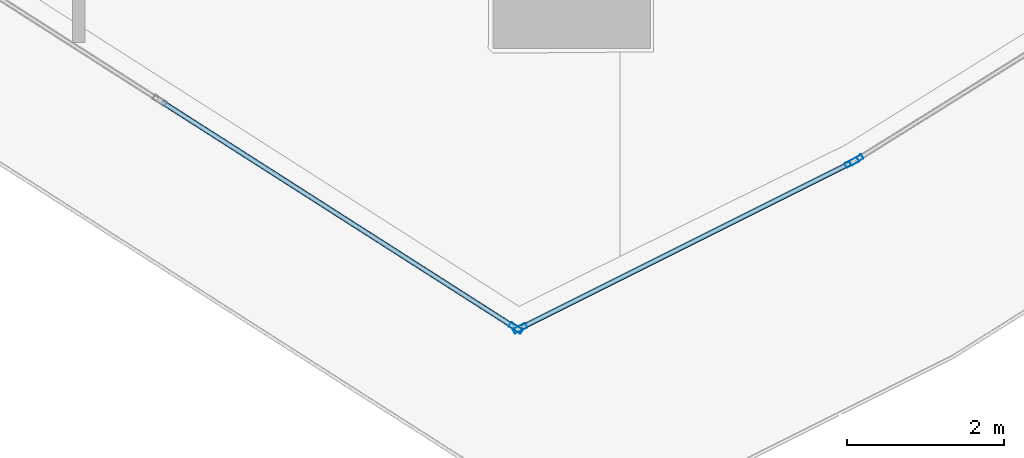
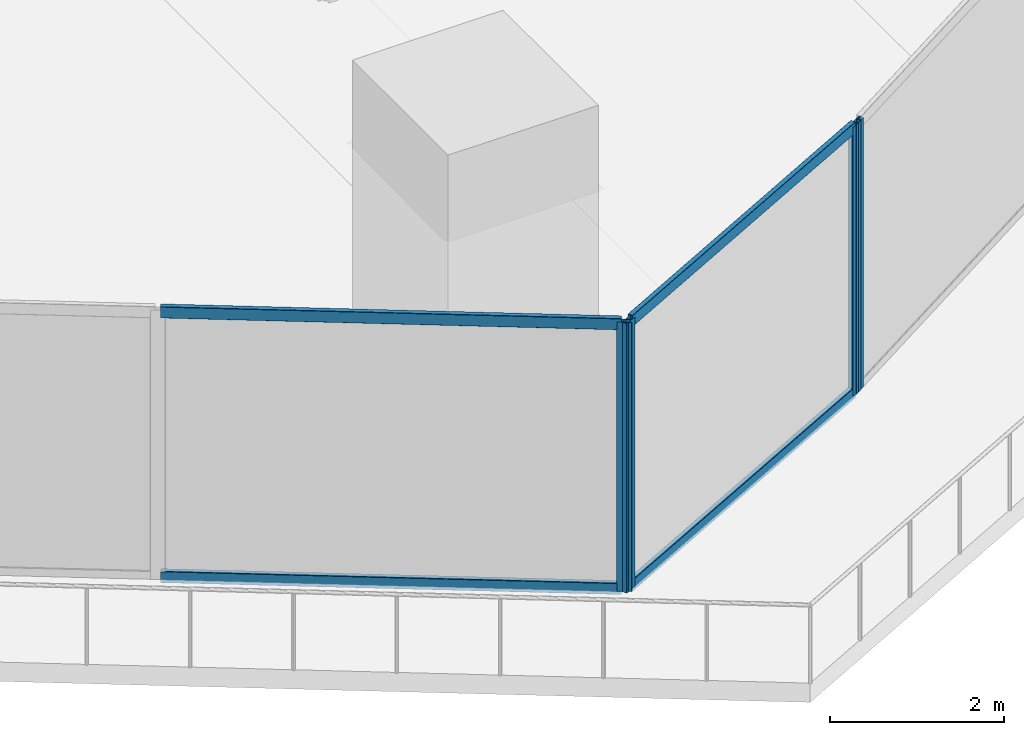
# One storey, part 9 of 39: 8 members, 3 elements without a shape of their own.
"""IFC4 building model written with IfcOpenShell, lengths in metres."""

from ifc_helpers import new_model, si_unit, direction, frame, origin, origin_2d, place, context, subcontext, project, spatial, hollow_rectangle, extrude, material, layer, layer_set, material_profile, profile_set, type_object, element, aggregate, save


model = new_model("IFC4")

# Units and contexts
model_context = context("Model", 3, precision=1e-05, world=origin(), true_north=direction((0.0, 1.0)))
body_context = subcontext(model_context, "Body", "Model", "MODEL_VIEW")
ifc_project = project(units=[si_unit("LENGTHUNIT", "METRE"), si_unit("AREAUNIT", "SQUARE_METRE"), si_unit("VOLUMEUNIT", "CUBIC_METRE"), si_unit("PLANEANGLEUNIT", "RADIAN"), si_unit("MASSUNIT", "GRAM", prefix="KILO")], contexts=[model_context])

# Site, building, storey
site_placement = place(None, origin())
site = spatial("IfcSite", under=ifc_project, at=site_placement, CompositionType="ELEMENT")
building_placement = place(site_placement, origin())
building = spatial("IfcBuilding", under=site, at=building_placement, Name="Qorvath Tower", CompositionType="ELEMENT")
storey_placement = place(building_placement, frame((0.0, 0.0, 142.199951171875)))
storey = spatial("IfcBuildingStorey", under=building, at=storey_placement, Name="L32", CompositionType="ELEMENT", Elevation=142.199951171875)

# Curtain wall, member
ifc_material_1 = material(Name="Anodised aluminium and triple low-E glass", Category="aluminium")
ifc_layer = layer(ifc_material_1, 0.179931640625)
ifc_layer_set = layer_set([ifc_layer], Name="CW-SYS-3")
curtain_wall_type = type_object("IfcCurtainWallType", Name="CW-SYS-3", PredefinedType="NOTDEFINED", material=ifc_layer_set)
curtain_wall_1_placement = place(storey_placement, origin())
curtain_wall_1 = element("IfcCurtainWall", 1, at=curtain_wall_1_placement, inside=storey, type_object=curtain_wall_type, Name="Curtain Wall CW-3 CW-T-L32-2.1", PredefinedType="NOTDEFINED")
ifc_material_2 = material(Name="Anodised aluminium 6063-T6", Category="aluminium")
ifc_material_profile_1 = material_profile(ifc_material_2, hollow_rectangle(XDim=0.06494140625, YDim=0.179931640625, WallThickness=0.00341796875, InnerFilletRadius=0.00341796875, OuterFilletRadius=0.007080078125, at=origin_2d()), Name="CWM 180x65")
ifc_profile_set_1 = profile_set([ifc_material_profile_1], Name="Anodised aluminium 6063-T6")
member_type_1 = type_object("IfcMemberType", Name="CWM-180", PredefinedType="MULLION", material=ifc_profile_set_1)
member_1_placement = place(storey_placement, frame((-16.05517578125, -29.89892578125, 0.0), z_axis=(0.0, 0.0, 1.0), x_axis=(0.53853296968, 0.842604438967, 0.0)))
member_1 = element("IfcMember", 2, at=member_1_placement, type_object=member_type_1, Name="CW-3 mullion 10", PredefinedType="MULLION", context=body_context, shape_type="SweptSolid", body=[
    extrude(hollow_rectangle(XDim=0.06494140625, YDim=0.179931640625, WallThickness=0.00341796875, InnerFilletRadius=0.00341796875, OuterFilletRadius=0.007080078125, at=origin_2d()), origin(), (0.0, 0.0, 1.0), 3.780029296875),
])

# Curtain wall, members
curtain_wall_2_placement = place(storey_placement, origin())
curtain_wall_2 = element("IfcCurtainWall", 3, at=curtain_wall_2_placement, inside=storey, type_object=curtain_wall_type, Name="Curtain Wall CW-3 CW-T-L32-3.1", PredefinedType="NOTDEFINED")
member_2_placement = place(storey_placement, frame((-15.998779296875, -29.90185546875, 0.0), z_axis=(0.0, 0.0, 1.0), x_axis=(-0.447171738712, 0.89444811817, 0.0)))
member_2 = element("IfcMember", 4, at=member_2_placement, type_object=member_type_1, Name="CW-3 mullion 1", PredefinedType="MULLION", context=body_context, shape_type="SweptSolid", body=[
    extrude(hollow_rectangle(XDim=0.06494140625, YDim=0.179931640625, WallThickness=0.00341796875, InnerFilletRadius=0.00341796875, OuterFilletRadius=0.007080078125, at=origin_2d()), origin(), (0.0, 0.0, 1.0), 3.780029296875),
])
member_3_placement = place(storey_placement, frame((-11.782958984375, -27.79443359375, 0.0), z_axis=(0.0, 0.0, 1.0), x_axis=(-0.447171738712, 0.89444811817, 0.0)))
member_3 = element("IfcMember", 5, at=member_3_placement, type_object=member_type_1, Name="CW-3 mullion 2", PredefinedType="MULLION", context=body_context, shape_type="SweptSolid", body=[
    extrude(hollow_rectangle(XDim=0.06494140625, YDim=0.179931640625, WallThickness=0.00341796875, InnerFilletRadius=0.00341796875, OuterFilletRadius=0.007080078125, at=origin_2d()), origin(), (0.0, 0.0, 1.0), 3.780029296875),
])

# Curtain wall, member
curtain_wall_3_placement = place(storey_placement, origin())
curtain_wall_3 = element("IfcCurtainWall", 6, at=curtain_wall_3_placement, inside=storey, type_object=curtain_wall_type, Name="Curtain Wall CW-3 CW-T-L32-4.1", PredefinedType="NOTDEFINED")
member_4_placement = place(storey_placement, frame((-11.726318359375, -27.7626953125, 0.0), z_axis=(0.0, 0.0, 1.0), x_axis=(-0.529441480387, 0.848346461563, 0.0)))
member_4 = element("IfcMember", 7, at=member_4_placement, type_object=member_type_1, Name="CW-3 mullion 1", PredefinedType="MULLION", context=body_context, shape_type="SweptSolid", body=[
    extrude(hollow_rectangle(XDim=0.06494140625, YDim=0.179931640625, WallThickness=0.00341796875, InnerFilletRadius=0.00341796875, OuterFilletRadius=0.007080078125, at=origin_2d()), origin(), (0.0, 0.0, 1.0), 3.780029296875),
])
aggregate(curtain_wall_3, [member_4])

# Member
ifc_material_3 = material(Name="Anodised aluminium 6063-T6", Category="aluminium")
ifc_material_profile_2 = material_profile(ifc_material_3, hollow_rectangle(XDim=0.06494140625, YDim=0.159912109375, WallThickness=0.00341796875, InnerFilletRadius=0.00341796875, OuterFilletRadius=0.007080078125, at=origin_2d()), Name="CWT 160x65")
ifc_profile_set_2 = profile_set([ifc_material_profile_2], Name="Anodised aluminium 6063-T6")
member_type_2 = type_object("IfcMemberType", Name="CWT-160", PredefinedType="USERDEFINED", material=ifc_profile_set_2)
member_5_placement = place(storey_placement, frame((-20.55126953125, -27.025390625, 0.032470703125), z_axis=(0.84259645993, -0.538545453711, 0.0), x_axis=(0.538545453711, 0.84259645993, 0.0)))
member_5 = element("IfcMember", 8, at=member_5_placement, type_object=member_type_2, Name="CW-3 transom 9.1", ObjectType="TRANSOM", PredefinedType="USERDEFINED", context=body_context, shape_type="SweptSolid", body=[
    extrude(hollow_rectangle(XDim=0.06494140625, YDim=0.159912109375, WallThickness=0.00341796875, InnerFilletRadius=0.00341796875, OuterFilletRadius=0.007080078125, at=origin_2d()), origin(), (0.0, 0.0, 1.0), 5.303466796875),
])

member_6_placement = place(storey_placement, frame((-20.55126953125, -27.025390625, 3.74755859375), z_axis=(0.84259645993, -0.538545453711, 0.0), x_axis=(0.538545453711, 0.84259645993, 0.0)))
member_6 = element("IfcMember", 9, at=member_6_placement, type_object=member_type_2, Name="CW-3 transom 9.2", ObjectType="TRANSOM", PredefinedType="USERDEFINED", context=body_context, shape_type="SweptSolid", body=[
    extrude(hollow_rectangle(XDim=0.06494140625, YDim=0.159912109375, WallThickness=0.00341796875, InnerFilletRadius=0.00341796875, OuterFilletRadius=0.007080078125, at=origin_2d()), origin(), (0.0, 0.0, 1.0), 5.303466796875),
])

aggregate(curtain_wall_1, [member_1, member_5, member_6])

member_7_placement = place(storey_placement, frame((-15.9697265625, -29.887451171875, 0.032470703125), z_axis=(0.894448198779, 0.447171577475, 0.0), x_axis=(-0.447171577475, 0.894448198779, 0.0)))
member_7 = element("IfcMember", 10, at=member_7_placement, type_object=member_type_2, Name="CW-3 transom 1.1", ObjectType="TRANSOM", PredefinedType="USERDEFINED", context=body_context, shape_type="SweptSolid", body=[
    extrude(hollow_rectangle(XDim=0.06494140625, YDim=0.159912109375, WallThickness=0.00341796875, InnerFilletRadius=0.00341796875, OuterFilletRadius=0.007080078125, at=origin_2d()), origin(), (0.0, 0.0, 1.0), 4.6484375),
])

member_8_placement = place(storey_placement, frame((-15.9697265625, -29.887451171875, 3.74755859375), z_axis=(0.894448198779, 0.447171577475, 0.0), x_axis=(-0.447171577475, 0.894448198779, 0.0)))
member_8 = element("IfcMember", 11, at=member_8_placement, type_object=member_type_2, Name="CW-3 transom 1.2", ObjectType="TRANSOM", PredefinedType="USERDEFINED", context=body_context, shape_type="SweptSolid", body=[
    extrude(hollow_rectangle(XDim=0.06494140625, YDim=0.159912109375, WallThickness=0.00341796875, InnerFilletRadius=0.00341796875, OuterFilletRadius=0.007080078125, at=origin_2d()), origin(), (0.0, 0.0, 1.0), 4.6484375),
])

aggregate(curtain_wall_2, [member_2, member_3, member_7, member_8])

save(model, "model.ifc")
